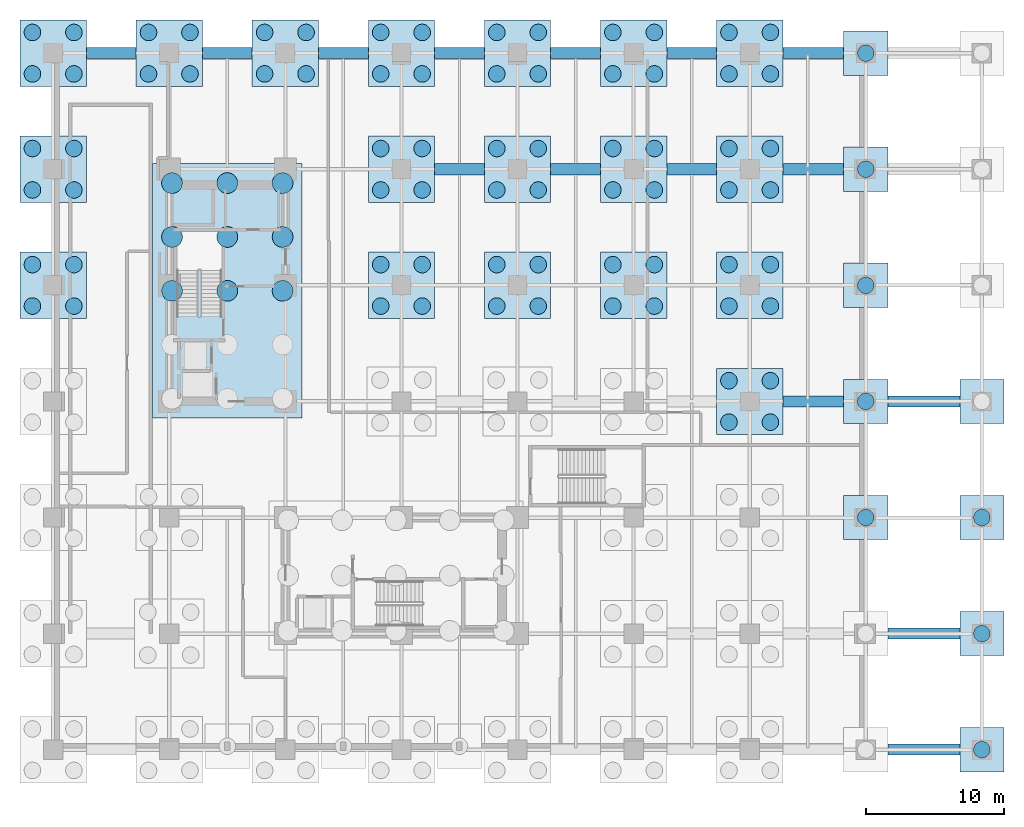
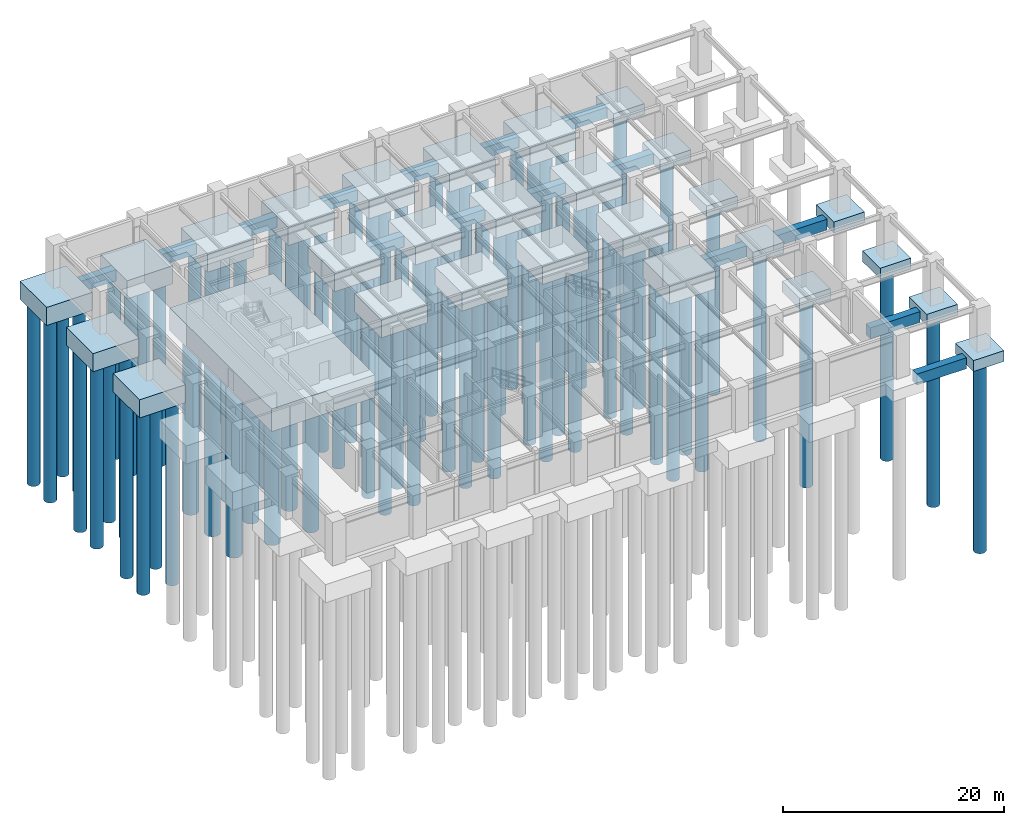
# One storey, part 2 of 9: 89 piles, 43 footings.
"""IFC4 building model written with IfcOpenShell, lengths in metres."""

from ifc_helpers import new_model, si_unit, direction, frame, origin, origin_2d, place, context, subcontext, project, spatial, polyline, rectangle, circle, outline, extrude, material, layer, layer_set, material_profile, profile_set, type_object, element, save


model = new_model("IFC4")

# Units and contexts
model_context = context("Model", 3, precision=1e-05, world=origin(), true_north=direction((0.0, 1.0)))
body_context = subcontext(model_context, "Body", "Model", "MODEL_VIEW")
ifc_project = project(units=[si_unit("LENGTHUNIT", "METRE"), si_unit("AREAUNIT", "SQUARE_METRE"), si_unit("VOLUMEUNIT", "CUBIC_METRE"), si_unit("PLANEANGLEUNIT", "RADIAN"), si_unit("MASSUNIT", "GRAM", prefix="KILO")], contexts=[model_context])

# Site, building, storey
site_placement = place(None, origin())
site = spatial("IfcSite", under=ifc_project, at=site_placement, CompositionType="ELEMENT")
building_placement = place(site_placement, origin())
building = spatial("IfcBuilding", under=site, at=building_placement, Name="Nerrivon Quay Data Exchange", CompositionType="ELEMENT")
storey_placement = place(building_placement, frame((0.0, 0.0, -9.60009765625)))
storey = spatial("IfcBuildingStorey", under=building, at=storey_placement, Name="B02", CompositionType="ELEMENT", Elevation=-9.60009765625)

# Footings
ifc_material_1 = material(Name="Concrete N50 (50 MPa)", Category="concrete")
ifc_layer_1 = layer(ifc_material_1, 2.0)
ifc_layer_set_1 = layer_set([ifc_layer_1], Name="Concrete N50 (50 MPa)")
footing_type_1 = type_object("IfcFootingType", Name="FTG-CAP-4P", PredefinedType="PILE_CAP", material=ifc_layer_set_1)
footing_1_placement = place(storey_placement, frame((0.0, 0.0, -2.39990234375)))
element("IfcFooting", 1, at=footing_1_placement, inside=storey, type_object=footing_type_1, Name="Four-Pile Cap PC-05", PredefinedType="PILE_CAP", context=body_context, shape_type="SweptSolid", body=[
    extrude(outline(polyline([(-2.39990234375, 31.199951171875), (2.39990234375, 31.199951171875), (2.39990234375, 36.0), (-2.39990234375, 36.0), (-2.39990234375, 31.199951171875)])), origin(), (0.0, 0.0, 1.0), 2.0),
])
footing_2_placement = place(storey_placement, frame((0.0, 0.0, -2.39990234375)))
element("IfcFooting", 2, at=footing_2_placement, inside=storey, type_object=footing_type_1, Name="Four-Pile Cap PC-06", PredefinedType="PILE_CAP", context=body_context, shape_type="SweptSolid", body=[
    extrude(outline(polyline([(-2.39990234375, 39.60009765625), (2.39990234375, 39.60009765625), (2.39990234375, 44.39990234375), (-2.39990234375, 44.39990234375), (-2.39990234375, 39.60009765625)])), origin(), (0.0, 0.0, 1.0), 2.0),
])
footing_3_placement = place(storey_placement, frame((0.0, 0.0, -2.39990234375)))
element("IfcFooting", 3, at=footing_3_placement, inside=storey, type_object=footing_type_1, Name="Four-Pile Cap PC-07", PredefinedType="PILE_CAP", context=body_context, shape_type="SweptSolid", body=[
    extrude(outline(polyline([(-2.39990234375, 48.0), (2.39990234375, 48.0), (2.39990234375, 52.800048828125), (-2.39990234375, 52.800048828125), (-2.39990234375, 48.0)])), origin(), (0.0, 0.0, 1.0), 2.0),
])
footing_4_placement = place(storey_placement, frame((0.0, 0.0, -2.39990234375)))
element("IfcFooting", 4, at=footing_4_placement, inside=storey, type_object=footing_type_1, Name="Four-Pile Cap PC-11", PredefinedType="PILE_CAP", context=body_context, shape_type="SweptSolid", body=[
    extrude(outline(polyline([(6.0, 48.0), (10.800048828125, 48.0), (10.800048828125, 52.800048828125), (6.0, 52.800048828125), (6.0, 48.0)])), origin(), (0.0, 0.0, 1.0), 2.0),
])
footing_5_placement = place(storey_placement, frame((0.0, 0.0, -2.39990234375)))
element("IfcFooting", 5, at=footing_5_placement, inside=storey, type_object=footing_type_1, Name="Four-Pile Cap PC-13", PredefinedType="PILE_CAP", context=body_context, shape_type="SweptSolid", body=[
    extrude(outline(polyline([(14.39990234375, 48.0), (19.199951171875, 48.0), (19.199951171875, 52.800048828125), (14.39990234375, 52.800048828125), (14.39990234375, 48.0)])), origin(), (0.0, 0.0, 1.0), 2.0),
])
footing_6_placement = place(storey_placement, frame((0.0, 0.0, -2.39990234375)))
element("IfcFooting", 6, at=footing_6_placement, inside=storey, type_object=footing_type_1, Name="Four-Pile Cap PC-16", PredefinedType="PILE_CAP", context=body_context, shape_type="SweptSolid", body=[
    extrude(outline(polyline([(22.800048828125, 31.199951171875), (27.60009765625, 31.199951171875), (27.60009765625, 36.0), (22.800048828125, 36.0), (22.800048828125, 31.199951171875)])), origin(), (0.0, 0.0, 1.0), 2.0),
])
footing_7_placement = place(storey_placement, frame((0.0, 0.0, -2.39990234375)))
element("IfcFooting", 7, at=footing_7_placement, inside=storey, type_object=footing_type_1, Name="Four-Pile Cap PC-17", PredefinedType="PILE_CAP", context=body_context, shape_type="SweptSolid", body=[
    extrude(outline(polyline([(22.800048828125, 39.60009765625), (27.60009765625, 39.60009765625), (27.60009765625, 44.39990234375), (22.800048828125, 44.39990234375), (22.800048828125, 39.60009765625)])), origin(), (0.0, 0.0, 1.0), 2.0),
])
footing_8_placement = place(storey_placement, frame((0.0, 0.0, -2.39990234375)))
element("IfcFooting", 8, at=footing_8_placement, inside=storey, type_object=footing_type_1, Name="Four-Pile Cap PC-18", PredefinedType="PILE_CAP", context=body_context, shape_type="SweptSolid", body=[
    extrude(outline(polyline([(22.800048828125, 48.0), (27.60009765625, 48.0), (27.60009765625, 52.800048828125), (22.800048828125, 52.800048828125), (22.800048828125, 48.0)])), origin(), (0.0, 0.0, 1.0), 2.0),
])
footing_9_placement = place(storey_placement, frame((0.0, 0.0, -2.39990234375)))
element("IfcFooting", 9, at=footing_9_placement, inside=storey, type_object=footing_type_1, Name="Four-Pile Cap PC-21", PredefinedType="PILE_CAP", context=body_context, shape_type="SweptSolid", body=[
    extrude(outline(polyline([(31.199951171875, 31.199951171875), (36.0, 31.199951171875), (36.0, 36.0), (31.199951171875, 36.0), (31.199951171875, 31.199951171875)])), origin(), (0.0, 0.0, 1.0), 2.0),
])
footing_10_placement = place(storey_placement, frame((0.0, 0.0, -2.39990234375)))
element("IfcFooting", 10, at=footing_10_placement, inside=storey, type_object=footing_type_1, Name="Four-Pile Cap PC-22", PredefinedType="PILE_CAP", context=body_context, shape_type="SweptSolid", body=[
    extrude(outline(polyline([(31.199951171875, 39.60009765625), (36.0, 39.60009765625), (36.0, 44.39990234375), (31.199951171875, 44.39990234375), (31.199951171875, 39.60009765625)])), origin(), (0.0, 0.0, 1.0), 2.0),
])
footing_11_placement = place(storey_placement, frame((0.0, 0.0, -2.39990234375)))
element("IfcFooting", 11, at=footing_11_placement, inside=storey, type_object=footing_type_1, Name="Four-Pile Cap PC-23", PredefinedType="PILE_CAP", context=body_context, shape_type="SweptSolid", body=[
    extrude(outline(polyline([(31.199951171875, 48.0), (36.0, 48.0), (36.0, 52.800048828125), (31.199951171875, 52.800048828125), (31.199951171875, 48.0)])), origin(), (0.0, 0.0, 1.0), 2.0),
])
footing_12_placement = place(storey_placement, frame((0.0, 0.0, -2.39990234375)))
element("IfcFooting", 12, at=footing_12_placement, inside=storey, type_object=footing_type_1, Name="Four-Pile Cap PC-28", PredefinedType="PILE_CAP", context=body_context, shape_type="SweptSolid", body=[
    extrude(outline(polyline([(39.60009765625, 31.199951171875), (44.39990234375, 31.199951171875), (44.39990234375, 36.0), (39.60009765625, 36.0), (39.60009765625, 31.199951171875)])), origin(), (0.0, 0.0, 1.0), 2.0),
])
footing_13_placement = place(storey_placement, frame((0.0, 0.0, -2.39990234375)))
element("IfcFooting", 13, at=footing_13_placement, inside=storey, type_object=footing_type_1, Name="Four-Pile Cap PC-29", PredefinedType="PILE_CAP", context=body_context, shape_type="SweptSolid", body=[
    extrude(outline(polyline([(39.60009765625, 39.60009765625), (44.39990234375, 39.60009765625), (44.39990234375, 44.39990234375), (39.60009765625, 44.39990234375), (39.60009765625, 39.60009765625)])), origin(), (0.0, 0.0, 1.0), 2.0),
])
footing_14_placement = place(storey_placement, frame((0.0, 0.0, -2.39990234375)))
element("IfcFooting", 14, at=footing_14_placement, inside=storey, type_object=footing_type_1, Name="Four-Pile Cap PC-30", PredefinedType="PILE_CAP", context=body_context, shape_type="SweptSolid", body=[
    extrude(outline(polyline([(39.60009765625, 48.0), (44.39990234375, 48.0), (44.39990234375, 52.800048828125), (39.60009765625, 52.800048828125), (39.60009765625, 48.0)])), origin(), (0.0, 0.0, 1.0), 2.0),
])
footing_15_placement = place(storey_placement, frame((0.0, 0.0, -2.39990234375)))
element("IfcFooting", 15, at=footing_15_placement, inside=storey, type_object=footing_type_1, Name="Four-Pile Cap PC-34", PredefinedType="PILE_CAP", context=body_context, shape_type="SweptSolid", body=[
    extrude(outline(polyline([(48.0, 22.800048828125), (52.800048828125, 22.800048828125), (52.800048828125, 27.60009765625), (48.0, 27.60009765625), (48.0, 22.800048828125)])), origin(), (0.0, 0.0, 1.0), 2.0),
])
footing_16_placement = place(storey_placement, frame((0.0, 0.0, -2.39990234375)))
element("IfcFooting", 16, at=footing_16_placement, inside=storey, type_object=footing_type_1, Name="Four-Pile Cap PC-35", PredefinedType="PILE_CAP", context=body_context, shape_type="SweptSolid", body=[
    extrude(outline(polyline([(48.0, 31.199951171875), (52.800048828125, 31.199951171875), (52.800048828125, 36.0), (48.0, 36.0), (48.0, 31.199951171875)])), origin(), (0.0, 0.0, 1.0), 2.0),
])
footing_17_placement = place(storey_placement, frame((0.0, 0.0, -2.39990234375)))
element("IfcFooting", 17, at=footing_17_placement, inside=storey, type_object=footing_type_1, Name="Four-Pile Cap PC-36", PredefinedType="PILE_CAP", context=body_context, shape_type="SweptSolid", body=[
    extrude(outline(polyline([(48.0, 39.60009765625), (52.800048828125, 39.60009765625), (52.800048828125, 44.39990234375), (48.0, 44.39990234375), (48.0, 39.60009765625)])), origin(), (0.0, 0.0, 1.0), 2.0),
])
footing_18_placement = place(storey_placement, frame((0.0, 0.0, -2.39990234375)))
element("IfcFooting", 18, at=footing_18_placement, inside=storey, type_object=footing_type_1, Name="Four-Pile Cap PC-37", PredefinedType="PILE_CAP", context=body_context, shape_type="SweptSolid", body=[
    extrude(outline(polyline([(48.0, 48.0), (52.800048828125, 48.0), (52.800048828125, 52.800048828125), (48.0, 52.800048828125), (48.0, 48.0)])), origin(), (0.0, 0.0, 1.0), 2.0),
])
ifc_material_2 = material(Name="Concrete N40 (40 MPa)", Category="concrete")
ifc_material_profile_1 = material_profile(ifc_material_2, rectangle(XDim=0.800048828125, YDim=1.199951171875, at=origin_2d()), Name="RC-GB-800x1200")
ifc_profile_set_1 = profile_set([ifc_material_profile_1], Name="Concrete N40 (40 MPa)")
footing_type_2 = type_object("IfcFootingType", Name="FTG-GB-800x1200", PredefinedType="FOOTING_BEAM", material=ifc_profile_set_1)
for number, where, z_axis, x_axis, name in (
    (19, (60.39990234375, 0.0, -1.0), (1.0, 0.0, 0.0), (0.0, 1.0, 0.0), "Ground Tie Beam GB-05"),
    (20, (60.39990234375, 8.39990234375, -1.0), (1.0, 0.0, 0.0), (0.0, 1.0, 0.0), "Ground Tie Beam GB-09"),
):
    element("IfcFooting", number, at=place(storey_placement, frame(where, z_axis=z_axis, x_axis=x_axis)), inside=storey, type_object=footing_type_2, Name=name, PredefinedType="FOOTING_BEAM", context=body_context, shape_type="SweptSolid", body=[
        extrude(rectangle(XDim=0.800048828125, YDim=1.199951171875, at=origin_2d()), origin(), (0.0, 0.0, 1.0), 5.2001953125),
    ])
footing_19_placement = place(storey_placement, frame((52.800048828125, 25.199951171875, -1.0), z_axis=(1.0, 0.0, 0.0), x_axis=(0.0, 1.0, 0.0)))
element("IfcFooting", 21, at=footing_19_placement, inside=storey, type_object=footing_type_2, Name="Ground Tie Beam GB-13", PredefinedType="FOOTING_BEAM", context=body_context, shape_type="SweptSolid", body=[
    extrude(rectangle(XDim=0.800048828125, YDim=1.199951171875, at=origin_2d()), origin(), (0.0, 0.0, 1.0), 4.39990234375),
])
footing_20_placement = place(storey_placement, frame((60.39990234375, 25.199951171875, -1.0), z_axis=(1.0, 0.0, 0.0), x_axis=(0.0, 1.0, 0.0)))
element("IfcFooting", 22, at=footing_20_placement, inside=storey, type_object=footing_type_2, Name="Ground Tie Beam GB-14", PredefinedType="FOOTING_BEAM", context=body_context, shape_type="SweptSolid", body=[
    extrude(rectangle(XDim=0.800048828125, YDim=1.199951171875, at=origin_2d()), origin(), (0.0, 0.0, 1.0), 5.2001953125),
])
footing_21_placement = place(storey_placement, frame((27.60009765625, 42.0, -1.0), z_axis=(1.0, 0.0, 0.0), x_axis=(0.0, 1.0, 0.0)))
element("IfcFooting", 23, at=footing_21_placement, inside=storey, type_object=footing_type_2, Name="Ground Tie Beam GB-15", PredefinedType="FOOTING_BEAM", context=body_context, shape_type="SweptSolid", body=[
    extrude(rectangle(XDim=0.800048828125, YDim=1.199951171875, at=origin_2d()), origin(), (0.0, 0.0, 1.0), 3.599853515625),
])
for number, where, z_axis, x_axis, name in (
    (24, (36.0, 42.0, -1.0), (1.0, 0.0, 0.0), (0.0, 1.0, 0.0), "Ground Tie Beam GB-16"),
    (25, (44.39990234375, 42.0, -1.0), (1.0, 0.0, 0.0), (0.0, 1.0, 0.0), "Ground Tie Beam GB-17"),
):
    element("IfcFooting", number, at=place(storey_placement, frame(where, z_axis=z_axis, x_axis=x_axis)), inside=storey, type_object=footing_type_2, Name=name, PredefinedType="FOOTING_BEAM", context=body_context, shape_type="SweptSolid", body=[
        extrude(rectangle(XDim=0.800048828125, YDim=1.199951171875, at=origin_2d()), origin(), (0.0, 0.0, 1.0), 3.60009765625),
    ])
footing_22_placement = place(storey_placement, frame((52.800048828125, 42.0, -1.0), z_axis=(1.0, 0.0, 0.0), x_axis=(0.0, 1.0, 0.0)))
element("IfcFooting", 26, at=footing_22_placement, inside=storey, type_object=footing_type_2, Name="Ground Tie Beam GB-18", PredefinedType="FOOTING_BEAM", context=body_context, shape_type="SweptSolid", body=[
    extrude(rectangle(XDim=0.800048828125, YDim=1.199951171875, at=origin_2d()), origin(), (0.0, 0.0, 1.0), 4.39990234375),
])
footing_23_placement = place(storey_placement, frame((2.39990234375, 50.39990234375, -1.0), z_axis=(1.0, 0.0, 0.0), x_axis=(0.0, 1.0, 0.0)))
element("IfcFooting", 27, at=footing_23_placement, inside=storey, type_object=footing_type_2, Name="Ground Tie Beam GB-20", PredefinedType="FOOTING_BEAM", context=body_context, shape_type="SweptSolid", body=[
    extrude(rectangle(XDim=0.800048828125, YDim=1.199951171875, at=origin_2d()), origin(), (0.0, 0.0, 1.0), 3.60009765625),
])
footing_24_placement = place(storey_placement, frame((10.800048828125, 50.39990234375, -1.0), z_axis=(1.0, 0.0, 0.0), x_axis=(0.0, 1.0, 0.0)))
element("IfcFooting", 28, at=footing_24_placement, inside=storey, type_object=footing_type_2, Name="Ground Tie Beam GB-21", PredefinedType="FOOTING_BEAM", context=body_context, shape_type="SweptSolid", body=[
    extrude(rectangle(XDim=0.800048828125, YDim=1.199951171875, at=origin_2d()), origin(), (0.0, 0.0, 1.0), 3.599853515625),
])
footing_25_placement = place(storey_placement, frame((19.199951171875, 50.39990234375, -1.0), z_axis=(1.0, 0.0, 0.0), x_axis=(0.0, 1.0, 0.0)))
element("IfcFooting", 29, at=footing_25_placement, inside=storey, type_object=footing_type_2, Name="Ground Tie Beam GB-22", PredefinedType="FOOTING_BEAM", context=body_context, shape_type="SweptSolid", body=[
    extrude(rectangle(XDim=0.800048828125, YDim=1.199951171875, at=origin_2d()), origin(), (0.0, 0.0, 1.0), 3.60009765625),
])
footing_26_placement = place(storey_placement, frame((27.60009765625, 50.39990234375, -1.0), z_axis=(1.0, 0.0, 0.0), x_axis=(0.0, 1.0, 0.0)))
element("IfcFooting", 30, at=footing_26_placement, inside=storey, type_object=footing_type_2, Name="Ground Tie Beam GB-23", PredefinedType="FOOTING_BEAM", context=body_context, shape_type="SweptSolid", body=[
    extrude(rectangle(XDim=0.800048828125, YDim=1.199951171875, at=origin_2d()), origin(), (0.0, 0.0, 1.0), 3.599853515625),
])
for number, where, z_axis, x_axis, name in (
    (31, (36.0, 50.39990234375, -1.0), (1.0, 0.0, 0.0), (0.0, 1.0, 0.0), "Ground Tie Beam GB-24"),
    (32, (44.39990234375, 50.39990234375, -1.0), (1.0, 0.0, 0.0), (0.0, 1.0, 0.0), "Ground Tie Beam GB-25"),
):
    element("IfcFooting", number, at=place(storey_placement, frame(where, z_axis=z_axis, x_axis=x_axis)), inside=storey, type_object=footing_type_2, Name=name, PredefinedType="FOOTING_BEAM", context=body_context, shape_type="SweptSolid", body=[
        extrude(rectangle(XDim=0.800048828125, YDim=1.199951171875, at=origin_2d()), origin(), (0.0, 0.0, 1.0), 3.60009765625),
    ])
footing_27_placement = place(storey_placement, frame((52.800048828125, 50.39990234375, -1.0), z_axis=(1.0, 0.0, 0.0), x_axis=(0.0, 1.0, 0.0)))
element("IfcFooting", 33, at=footing_27_placement, inside=storey, type_object=footing_type_2, Name="Ground Tie Beam GB-26", PredefinedType="FOOTING_BEAM", context=body_context, shape_type="SweptSolid", body=[
    extrude(rectangle(XDim=0.800048828125, YDim=1.199951171875, at=origin_2d()), origin(), (0.0, 0.0, 1.0), 4.39990234375),
])
ifc_layer_2 = layer(ifc_material_2, 1.199951171875)
ifc_layer_set_2 = layer_set([ifc_layer_2], Name="Concrete N40 (40 MPa)")
footing_type_3 = type_object("IfcFootingType", Name="FTG-PAD-POD", PredefinedType="PAD_FOOTING", material=ifc_layer_set_2)
footing_28_placement = place(storey_placement, frame((0.0, 0.0, -1.599853515625)))
element("IfcFooting", 34, at=footing_28_placement, inside=storey, type_object=footing_type_3, Name="Podium Pad Footing PF-40", PredefinedType="PAD_FOOTING", context=body_context, shape_type="SweptSolid", body=[
    extrude(outline(polyline([(57.199951171875, 15.199951171875), (60.39990234375, 15.199951171875), (60.39990234375, 18.39990234375), (57.199951171875, 18.39990234375), (57.199951171875, 15.199951171875)])), origin(), (0.0, 0.0, 1.0), 1.199951171875),
])
footing_29_placement = place(storey_placement, frame((0.0, 0.0, -1.599853515625)))
element("IfcFooting", 35, at=footing_29_placement, inside=storey, type_object=footing_type_3, Name="Podium Pad Footing PF-41", PredefinedType="PAD_FOOTING", context=body_context, shape_type="SweptSolid", body=[
    extrude(outline(polyline([(57.199951171875, 23.60009765625), (60.39990234375, 23.60009765625), (60.39990234375, 26.800048828125), (57.199951171875, 26.800048828125), (57.199951171875, 23.60009765625)])), origin(), (0.0, 0.0, 1.0), 1.199951171875),
])
footing_30_placement = place(storey_placement, frame((0.0, 0.0, -1.599853515625)))
element("IfcFooting", 36, at=footing_30_placement, inside=storey, type_object=footing_type_3, Name="Podium Pad Footing PF-42", PredefinedType="PAD_FOOTING", context=body_context, shape_type="SweptSolid", body=[
    extrude(outline(polyline([(57.199951171875, 32.0), (60.39990234375, 32.0), (60.39990234375, 35.199951171875), (57.199951171875, 35.199951171875), (57.199951171875, 32.0)])), origin(), (0.0, 0.0, 1.0), 1.199951171875),
])
footing_31_placement = place(storey_placement, frame((0.0, 0.0, -1.599853515625)))
element("IfcFooting", 37, at=footing_31_placement, inside=storey, type_object=footing_type_3, Name="Podium Pad Footing PF-43", PredefinedType="PAD_FOOTING", context=body_context, shape_type="SweptSolid", body=[
    extrude(outline(polyline([(57.199951171875, 40.39990234375), (60.39990234375, 40.39990234375), (60.39990234375, 43.60009765625), (57.199951171875, 43.60009765625), (57.199951171875, 40.39990234375)])), origin(), (0.0, 0.0, 1.0), 1.199951171875),
])
footing_32_placement = place(storey_placement, frame((0.0, 0.0, -1.599853515625)))
element("IfcFooting", 38, at=footing_32_placement, inside=storey, type_object=footing_type_3, Name="Podium Pad Footing PF-44", PredefinedType="PAD_FOOTING", context=body_context, shape_type="SweptSolid", body=[
    extrude(outline(polyline([(57.199951171875, 48.800048828125), (60.39990234375, 48.800048828125), (60.39990234375, 52.0), (57.199951171875, 52.0), (57.199951171875, 48.800048828125)])), origin(), (0.0, 0.0, 1.0), 1.199951171875),
])
footing_33_placement = place(storey_placement, frame((0.0, 0.0, -1.199951171875)))
element("IfcFooting", 39, at=footing_33_placement, inside=storey, type_object=footing_type_3, Name="Podium Pad Footing PF-45", PredefinedType="PAD_FOOTING", context=body_context, shape_type="SweptSolid", body=[
    extrude(outline(polyline([(65.60009765625, -1.60009765625), (68.800048828125, -1.60009765625), (68.800048828125, 1.60009765625), (65.60009765625, 1.60009765625), (65.60009765625, -1.60009765625)])), origin(), (0.0, 0.0, 1.0), 1.199951171875),
])
footing_34_placement = place(storey_placement, frame((0.0, 0.0, -1.199951171875)))
element("IfcFooting", 40, at=footing_34_placement, inside=storey, type_object=footing_type_3, Name="Podium Pad Footing PF-46", PredefinedType="PAD_FOOTING", context=body_context, shape_type="SweptSolid", body=[
    extrude(outline(polyline([(65.60009765625, 6.800048828125), (68.800048828125, 6.800048828125), (68.800048828125, 10.0), (65.60009765625, 10.0), (65.60009765625, 6.800048828125)])), origin(), (0.0, 0.0, 1.0), 1.199951171875),
])
footing_35_placement = place(storey_placement, frame((0.0, 0.0, -1.199951171875)))
element("IfcFooting", 41, at=footing_35_placement, inside=storey, type_object=footing_type_3, Name="Podium Pad Footing PF-47", PredefinedType="PAD_FOOTING", context=body_context, shape_type="SweptSolid", body=[
    extrude(outline(polyline([(65.60009765625, 15.199951171875), (68.800048828125, 15.199951171875), (68.800048828125, 18.39990234375), (65.60009765625, 18.39990234375), (65.60009765625, 15.199951171875)])), origin(), (0.0, 0.0, 1.0), 1.199951171875),
])
footing_36_placement = place(storey_placement, frame((0.0, 0.0, -1.199951171875)))
element("IfcFooting", 42, at=footing_36_placement, inside=storey, type_object=footing_type_3, Name="Podium Pad Footing PF-48", PredefinedType="PAD_FOOTING", context=body_context, shape_type="SweptSolid", body=[
    extrude(outline(polyline([(65.60009765625, 23.60009765625), (68.800048828125, 23.60009765625), (68.800048828125, 26.800048828125), (65.60009765625, 26.800048828125), (65.60009765625, 23.60009765625)])), origin(), (0.0, 0.0, 1.0), 1.199951171875),
])
ifc_layer_3 = layer(ifc_material_1, 2.5)
ifc_layer_set_3 = layer_set([ifc_layer_3], Name="Concrete N50 (50 MPa)")
footing_type_4 = type_object("IfcFootingType", Name="FTG-RAFT-CORE-W", PredefinedType="PILE_CAP", material=ifc_layer_set_3)
footing_37_placement = place(storey_placement, frame((0.0, 0.0, -2.89990234375)))
element("IfcFooting", 43, at=footing_37_placement, inside=storey, type_object=footing_type_4, Name="West Split-Core Piled Raft PC-CW", PredefinedType="PILE_CAP", context=body_context, shape_type="SweptSolid", body=[
    extrude(outline(polyline([(7.199951171875, 24.0), (18.0, 24.0), (18.0, 42.39990234375), (7.199951171875, 42.39990234375), (7.199951171875, 24.0)])), origin(), (0.0, 0.0, 1.0), 2.5),
])

# Piles
ifc_material_profile_2 = material_profile(ifc_material_1, circle(Radius=0.75, at=origin_2d()), Name="PILE-1500")
ifc_profile_set_2 = profile_set([ifc_material_profile_2], Name="Concrete N50 (50 MPa)")
pile_type_1 = type_object("IfcPileType", Name="PILE-P1-1500", PredefinedType="BORED", material=ifc_profile_set_2)
for number, where, z_axis, x_axis, name in (
    (44, (8.60009765625, 33.199951171875, -2.7998046875), (0.0, 0.0, -1.0), (1.0, 0.0, 0.0), "Bored Pile P1-003"),
    (45, (8.60009765625, 37.10009765625, -2.7998046875), (0.0, 0.0, -1.0), (1.0, 0.0, 0.0), "Bored Pile P1-004"),
    (46, (8.60009765625, 41.0, -2.7998046875), (0.0, 0.0, -1.0), (1.0, 0.0, 0.0), "Bored Pile P1-005"),
    (47, (12.60009765625, 33.199951171875, -2.7998046875), (0.0, 0.0, -1.0), (1.0, 0.0, 0.0), "Bored Pile P1-008"),
    (48, (12.60009765625, 37.10009765625, -2.7998046875), (0.0, 0.0, -1.0), (1.0, 0.0, 0.0), "Bored Pile P1-009"),
    (49, (12.60009765625, 41.0, -2.7998046875), (0.0, 0.0, -1.0), (1.0, 0.0, 0.0), "Bored Pile P1-010"),
    (50, (16.60009765625, 33.199951171875, -2.7998046875), (0.0, 0.0, -1.0), (1.0, 0.0, 0.0), "Bored Pile P1-013"),
    (51, (16.60009765625, 37.10009765625, -2.7998046875), (0.0, 0.0, -1.0), (1.0, 0.0, 0.0), "Bored Pile P1-014"),
    (52, (16.60009765625, 41.0, -2.7998046875), (0.0, 0.0, -1.0), (1.0, 0.0, 0.0), "Bored Pile P1-015"),
):
    element("IfcPile", number, at=place(storey_placement, frame(where, z_axis=z_axis, x_axis=x_axis)), inside=storey, type_object=pile_type_1, Name=name, PredefinedType="BORED", context=body_context, shape_type="SweptSolid", body=[
        extrude(circle(Radius=0.75, at=origin_2d()), origin(), (0.0, 0.0, 1.0), 19.60009765625),
    ])
ifc_material_profile_3 = material_profile(ifc_material_1, circle(Radius=0.60009765625, at=origin_2d()), Name="PILE-1200")
ifc_profile_set_3 = profile_set([ifc_material_profile_3], Name="Concrete N50 (50 MPa)")
pile_type_2 = type_object("IfcPileType", Name="PILE-P2-1200", PredefinedType="BORED", material=ifc_profile_set_3)
for number, where, z_axis, x_axis, name in (
    (53, (-1.5, 32.10009765625, -2.2998046875), (0.0, 0.0, -1.0), (1.0, 0.0, 0.0), "Bored Pile P2-047"),
    (54, (-1.5, 35.10009765625, -2.2998046875), (0.0, 0.0, -1.0), (1.0, 0.0, 0.0), "Bored Pile P2-048"),
    (55, (1.5, 32.10009765625, -2.2998046875), (0.0, 0.0, -1.0), (1.0, 0.0, 0.0), "Bored Pile P2-049"),
    (56, (1.5, 35.10009765625, -2.2998046875), (0.0, 0.0, -1.0), (1.0, 0.0, 0.0), "Bored Pile P2-050"),
    (57, (-1.5, 40.5, -2.2998046875), (0.0, 0.0, -1.0), (1.0, 0.0, 0.0), "Bored Pile P2-051"),
    (58, (-1.5, 43.5, -2.2998046875), (0.0, 0.0, -1.0), (1.0, 0.0, 0.0), "Bored Pile P2-052"),
    (59, (1.5, 40.5, -2.2998046875), (0.0, 0.0, -1.0), (1.0, 0.0, 0.0), "Bored Pile P2-053"),
    (60, (1.5, 43.5, -2.2998046875), (0.0, 0.0, -1.0), (1.0, 0.0, 0.0), "Bored Pile P2-054"),
    (61, (-1.5, 48.89990234375, -2.2998046875), (0.0, 0.0, -1.0), (1.0, 0.0, 0.0), "Bored Pile P2-055"),
    (62, (-1.5, 51.89990234375, -2.2998046875), (0.0, 0.0, -1.0), (1.0, 0.0, 0.0), "Bored Pile P2-056"),
    (63, (1.5, 48.89990234375, -2.2998046875), (0.0, 0.0, -1.0), (1.0, 0.0, 0.0), "Bored Pile P2-057"),
    (64, (1.5, 51.89990234375, -2.2998046875), (0.0, 0.0, -1.0), (1.0, 0.0, 0.0), "Bored Pile P2-058"),
    (65, (6.89990234375, 48.89990234375, -2.2998046875), (0.0, 0.0, -1.0), (1.0, 0.0, 0.0), "Bored Pile P2-071"),
    (66, (6.89990234375, 51.89990234375, -2.2998046875), (0.0, 0.0, -1.0), (1.0, 0.0, 0.0), "Bored Pile P2-072"),
    (67, (9.89990234375, 48.89990234375, -2.2998046875), (0.0, 0.0, -1.0), (1.0, 0.0, 0.0), "Bored Pile P2-073"),
    (68, (9.89990234375, 51.89990234375, -2.2998046875), (0.0, 0.0, -1.0), (1.0, 0.0, 0.0), "Bored Pile P2-074"),
    (69, (15.300048828125, 48.89990234375, -2.2998046875), (0.0, 0.0, -1.0), (1.0, 0.0, 0.0), "Bored Pile P2-079"),
    (70, (15.300048828125, 51.89990234375, -2.2998046875), (0.0, 0.0, -1.0), (1.0, 0.0, 0.0), "Bored Pile P2-080"),
    (71, (18.300048828125, 48.89990234375, -2.2998046875), (0.0, 0.0, -1.0), (1.0, 0.0, 0.0), "Bored Pile P2-081"),
    (72, (18.300048828125, 51.89990234375, -2.2998046875), (0.0, 0.0, -1.0), (1.0, 0.0, 0.0), "Bored Pile P2-082"),
    (73, (23.699951171875, 32.10009765625, -2.2998046875), (0.0, 0.0, -1.0), (1.0, 0.0, 0.0), "Bored Pile P2-091"),
    (74, (23.699951171875, 35.10009765625, -2.2998046875), (0.0, 0.0, -1.0), (1.0, 0.0, 0.0), "Bored Pile P2-092"),
    (75, (26.699951171875, 32.10009765625, -2.2998046875), (0.0, 0.0, -1.0), (1.0, 0.0, 0.0), "Bored Pile P2-093"),
    (76, (26.699951171875, 35.10009765625, -2.2998046875), (0.0, 0.0, -1.0), (1.0, 0.0, 0.0), "Bored Pile P2-094"),
    (77, (23.699951171875, 40.5, -2.2998046875), (0.0, 0.0, -1.0), (1.0, 0.0, 0.0), "Bored Pile P2-095"),
    (78, (23.699951171875, 43.5, -2.2998046875), (0.0, 0.0, -1.0), (1.0, 0.0, 0.0), "Bored Pile P2-096"),
    (79, (26.699951171875, 40.5, -2.2998046875), (0.0, 0.0, -1.0), (1.0, 0.0, 0.0), "Bored Pile P2-097"),
    (80, (26.699951171875, 43.5, -2.2998046875), (0.0, 0.0, -1.0), (1.0, 0.0, 0.0), "Bored Pile P2-098"),
    (81, (23.699951171875, 48.89990234375, -2.2998046875), (0.0, 0.0, -1.0), (1.0, 0.0, 0.0), "Bored Pile P2-099"),
    (82, (23.699951171875, 51.89990234375, -2.2998046875), (0.0, 0.0, -1.0), (1.0, 0.0, 0.0), "Bored Pile P2-100"),
    (83, (26.699951171875, 48.89990234375, -2.2998046875), (0.0, 0.0, -1.0), (1.0, 0.0, 0.0), "Bored Pile P2-101"),
    (84, (26.699951171875, 51.89990234375, -2.2998046875), (0.0, 0.0, -1.0), (1.0, 0.0, 0.0), "Bored Pile P2-102"),
    (85, (32.10009765625, 32.10009765625, -2.2998046875), (0.0, 0.0, -1.0), (1.0, 0.0, 0.0), "Bored Pile P2-111"),
    (86, (32.10009765625, 35.10009765625, -2.2998046875), (0.0, 0.0, -1.0), (1.0, 0.0, 0.0), "Bored Pile P2-112"),
    (87, (35.10009765625, 32.10009765625, -2.2998046875), (0.0, 0.0, -1.0), (1.0, 0.0, 0.0), "Bored Pile P2-113"),
    (88, (35.10009765625, 35.10009765625, -2.2998046875), (0.0, 0.0, -1.0), (1.0, 0.0, 0.0), "Bored Pile P2-114"),
    (89, (32.10009765625, 40.5, -2.2998046875), (0.0, 0.0, -1.0), (1.0, 0.0, 0.0), "Bored Pile P2-115"),
    (90, (32.10009765625, 43.5, -2.2998046875), (0.0, 0.0, -1.0), (1.0, 0.0, 0.0), "Bored Pile P2-116"),
    (91, (35.10009765625, 40.5, -2.2998046875), (0.0, 0.0, -1.0), (1.0, 0.0, 0.0), "Bored Pile P2-117"),
    (92, (35.10009765625, 43.5, -2.2998046875), (0.0, 0.0, -1.0), (1.0, 0.0, 0.0), "Bored Pile P2-118"),
    (93, (32.10009765625, 48.89990234375, -2.2998046875), (0.0, 0.0, -1.0), (1.0, 0.0, 0.0), "Bored Pile P2-119"),
    (94, (32.10009765625, 51.89990234375, -2.2998046875), (0.0, 0.0, -1.0), (1.0, 0.0, 0.0), "Bored Pile P2-120"),
    (95, (35.10009765625, 48.89990234375, -2.2998046875), (0.0, 0.0, -1.0), (1.0, 0.0, 0.0), "Bored Pile P2-121"),
    (96, (35.10009765625, 51.89990234375, -2.2998046875), (0.0, 0.0, -1.0), (1.0, 0.0, 0.0), "Bored Pile P2-122"),
    (97, (40.5, 32.10009765625, -2.2998046875), (0.0, 0.0, -1.0), (1.0, 0.0, 0.0), "Bored Pile P2-139"),
    (98, (40.5, 35.10009765625, -2.2998046875), (0.0, 0.0, -1.0), (1.0, 0.0, 0.0), "Bored Pile P2-140"),
    (99, (43.5, 32.10009765625, -2.2998046875), (0.0, 0.0, -1.0), (1.0, 0.0, 0.0), "Bored Pile P2-141"),
    (100, (43.5, 35.10009765625, -2.2998046875), (0.0, 0.0, -1.0), (1.0, 0.0, 0.0), "Bored Pile P2-142"),
    (101, (40.5, 40.5, -2.2998046875), (0.0, 0.0, -1.0), (1.0, 0.0, 0.0), "Bored Pile P2-143"),
    (102, (40.5, 43.5, -2.2998046875), (0.0, 0.0, -1.0), (1.0, 0.0, 0.0), "Bored Pile P2-144"),
    (103, (43.5, 40.5, -2.2998046875), (0.0, 0.0, -1.0), (1.0, 0.0, 0.0), "Bored Pile P2-145"),
    (104, (43.5, 43.5, -2.2998046875), (0.0, 0.0, -1.0), (1.0, 0.0, 0.0), "Bored Pile P2-146"),
    (105, (40.5, 48.89990234375, -2.2998046875), (0.0, 0.0, -1.0), (1.0, 0.0, 0.0), "Bored Pile P2-147"),
    (106, (40.5, 51.89990234375, -2.2998046875), (0.0, 0.0, -1.0), (1.0, 0.0, 0.0), "Bored Pile P2-148"),
    (107, (43.5, 48.89990234375, -2.2998046875), (0.0, 0.0, -1.0), (1.0, 0.0, 0.0), "Bored Pile P2-149"),
    (108, (43.5, 51.89990234375, -2.2998046875), (0.0, 0.0, -1.0), (1.0, 0.0, 0.0), "Bored Pile P2-150"),
    (109, (48.89990234375, 23.699951171875, -2.2998046875), (0.0, 0.0, -1.0), (1.0, 0.0, 0.0), "Bored Pile P2-163"),
    (110, (48.89990234375, 26.699951171875, -2.2998046875), (0.0, 0.0, -1.0), (1.0, 0.0, 0.0), "Bored Pile P2-164"),
    (111, (51.89990234375, 23.699951171875, -2.2998046875), (0.0, 0.0, -1.0), (1.0, 0.0, 0.0), "Bored Pile P2-165"),
    (112, (51.89990234375, 26.699951171875, -2.2998046875), (0.0, 0.0, -1.0), (1.0, 0.0, 0.0), "Bored Pile P2-166"),
    (113, (48.89990234375, 32.10009765625, -2.2998046875), (0.0, 0.0, -1.0), (1.0, 0.0, 0.0), "Bored Pile P2-167"),
    (114, (48.89990234375, 35.10009765625, -2.2998046875), (0.0, 0.0, -1.0), (1.0, 0.0, 0.0), "Bored Pile P2-168"),
    (115, (51.89990234375, 32.10009765625, -2.2998046875), (0.0, 0.0, -1.0), (1.0, 0.0, 0.0), "Bored Pile P2-169"),
    (116, (51.89990234375, 35.10009765625, -2.2998046875), (0.0, 0.0, -1.0), (1.0, 0.0, 0.0), "Bored Pile P2-170"),
    (117, (48.89990234375, 40.5, -2.2998046875), (0.0, 0.0, -1.0), (1.0, 0.0, 0.0), "Bored Pile P2-171"),
    (118, (48.89990234375, 43.5, -2.2998046875), (0.0, 0.0, -1.0), (1.0, 0.0, 0.0), "Bored Pile P2-172"),
    (119, (51.89990234375, 40.5, -2.2998046875), (0.0, 0.0, -1.0), (1.0, 0.0, 0.0), "Bored Pile P2-173"),
    (120, (51.89990234375, 43.5, -2.2998046875), (0.0, 0.0, -1.0), (1.0, 0.0, 0.0), "Bored Pile P2-174"),
    (121, (48.89990234375, 48.89990234375, -2.2998046875), (0.0, 0.0, -1.0), (1.0, 0.0, 0.0), "Bored Pile P2-175"),
    (122, (48.89990234375, 51.89990234375, -2.2998046875), (0.0, 0.0, -1.0), (1.0, 0.0, 0.0), "Bored Pile P2-176"),
    (123, (51.89990234375, 48.89990234375, -2.2998046875), (0.0, 0.0, -1.0), (1.0, 0.0, 0.0), "Bored Pile P2-177"),
    (124, (51.89990234375, 51.89990234375, -2.2998046875), (0.0, 0.0, -1.0), (1.0, 0.0, 0.0), "Bored Pile P2-178"),
):
    element("IfcPile", number, at=place(storey_placement, frame(where, z_axis=z_axis, x_axis=x_axis)), inside=storey, type_object=pile_type_2, Name=name, PredefinedType="BORED", context=body_context, shape_type="SweptSolid", body=[
        extrude(circle(Radius=0.60009765625, at=origin_2d()), origin(), (0.0, 0.0, 1.0), 20.10009765625),
    ])
for number, where, z_axis, x_axis, name in (
    (125, (58.800048828125, 16.800048828125, -1.5), (0.0, 0.0, -1.0), (1.0, 0.0, 0.0), "Bored Pile P2-181"),
    (126, (58.800048828125, 25.199951171875, -1.5), (0.0, 0.0, -1.0), (1.0, 0.0, 0.0), "Bored Pile P2-182"),
    (127, (58.800048828125, 33.60009765625, -1.5), (0.0, 0.0, -1.0), (1.0, 0.0, 0.0), "Bored Pile P2-183"),
    (128, (58.800048828125, 42.0, -1.5), (0.0, 0.0, -1.0), (1.0, 0.0, 0.0), "Bored Pile P2-184"),
    (129, (58.800048828125, 50.39990234375, -1.5), (0.0, 0.0, -1.0), (1.0, 0.0, 0.0), "Bored Pile P2-185"),
):
    element("IfcPile", number, at=place(storey_placement, frame(where, z_axis=z_axis, x_axis=x_axis)), inside=storey, type_object=pile_type_2, Name=name, PredefinedType="BORED", context=body_context, shape_type="SweptSolid", body=[
        extrude(circle(Radius=0.60009765625, at=origin_2d()), origin(), (0.0, 0.0, 1.0), 20.89990234375),
    ])
for number, where, z_axis, x_axis, name in (
    (130, (67.199951171875, 0.0, -1.099853515625), (0.0, 0.0, -1.0), (1.0, 0.0, 0.0), "Bored Pile P2-186"),
    (131, (67.199951171875, 8.39990234375, -1.099853515625), (0.0, 0.0, -1.0), (1.0, 0.0, 0.0), "Bored Pile P2-187"),
    (132, (67.199951171875, 16.800048828125, -1.099853515625), (0.0, 0.0, -1.0), (1.0, 0.0, 0.0), "Bored Pile P2-188"),
):
    element("IfcPile", number, at=place(storey_placement, frame(where, z_axis=z_axis, x_axis=x_axis)), inside=storey, type_object=pile_type_2, Name=name, PredefinedType="BORED", context=body_context, shape_type="SweptSolid", body=[
        extrude(circle(Radius=0.60009765625, at=origin_2d()), origin(), (0.0, 0.0, 1.0), 21.300048828125),
    ])

save(model, "model.ifc")
